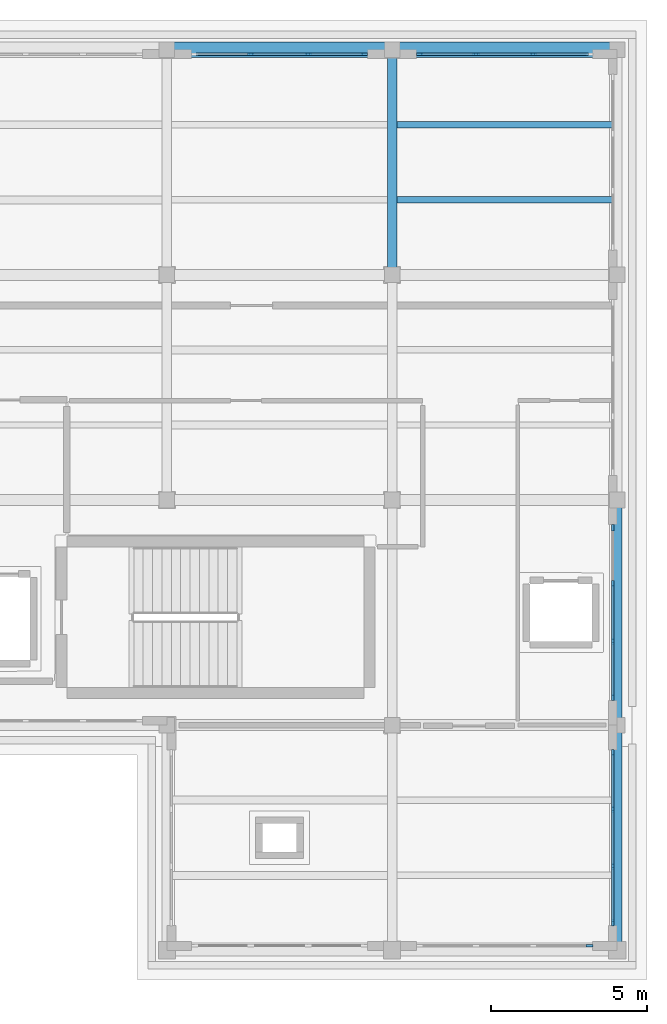
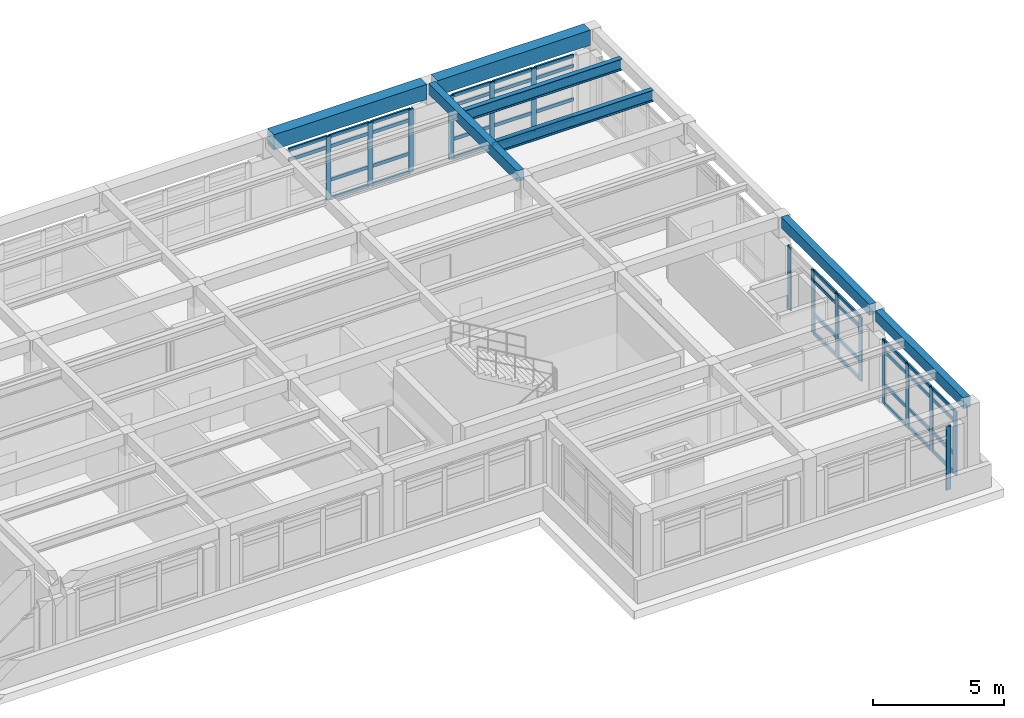
# One storey, part 9 of 20: 57 members, 7 beams, 5 elements without a shape of their own.
"""IFC4 building model written with IfcOpenShell, lengths in metres."""

from ifc_helpers import new_model, si_unit, direction, frame, origin, origin_2d, place, context, subcontext, project, spatial, rectangle, i_section, extrude, material, layer, layer_set, material_profile, profile_set, type_object, element, aggregate, save


model = new_model("IFC4")

# Units and contexts
model_context = context("Model", 3, precision=1e-05, world=origin(), true_north=direction((0.0, 1.0)))
body_context = subcontext(model_context, "Body", "Model", "MODEL_VIEW")
ifc_project = project(units=[si_unit("LENGTHUNIT", "METRE"), si_unit("AREAUNIT", "SQUARE_METRE"), si_unit("VOLUMEUNIT", "CUBIC_METRE"), si_unit("PLANEANGLEUNIT", "RADIAN"), si_unit("MASSUNIT", "GRAM", prefix="KILO")], contexts=[model_context])

# Site, building, storey
site_placement = place(None, origin())
site = spatial("IfcSite", under=ifc_project, at=site_placement, CompositionType="ELEMENT")
building_placement = place(site_placement, origin())
building = spatial("IfcBuilding", under=site, at=building_placement, Name="Solenvale Faculty of Natural Sciences", CompositionType="ELEMENT")
storey_placement = place(building_placement, frame((0.0, 0.0, 35.39990234375)))
storey = spatial("IfcBuildingStorey", under=building, at=storey_placement, Name="L08", CompositionType="ELEMENT", Elevation=35.39990234375)

# Beams
ifc_material_1 = material(Name="Concrete 40 MPa", Category="concrete")
ifc_material_profile_1 = material_profile(ifc_material_1, rectangle(XDim=0.300048828125, YDim=0.5, at=origin_2d()), Name="RC-BM-300x500")
ifc_profile_set_1 = profile_set([ifc_material_profile_1], Name="Concrete 40 MPa")
beam_type_1 = type_object("IfcBeamType", Name="BM-RC-300x500", PredefinedType="BEAM", material=ifc_profile_set_1)
beam_1_placement = place(storey_placement, frame((144.0, 108.22998046875, 3.670166015625), z_axis=(0.0, 1.0, 0.0), x_axis=(-1.0, 0.0, 0.0)))
element("IfcBeam", 1, at=beam_1_placement, inside=storey, type_object=beam_type_1, Name="L08 Y-Girder X144.0 (108.0..115.2)", PredefinedType="BEAM", context=body_context, shape_type="SweptSolid", body=[
    extrude(rectangle(XDim=0.300048828125, YDim=0.5, at=origin_2d()), origin(), (0.0, 0.0, 1.0), 6.739990234375),
])
beam_2_placement = place(storey_placement, frame((151.199951171875, 86.655029296875, 3.670166015625), z_axis=(0.0, 1.0, 0.0), x_axis=(-1.0, 0.0, 0.0)))
element("IfcBeam", 2, at=beam_2_placement, inside=storey, type_object=beam_type_1, Name="L08 Y-Girder X151.2 (86.4..93.6)", PredefinedType="BEAM", context=body_context, shape_type="SweptSolid", body=[
    extrude(rectangle(XDim=0.300048828125, YDim=0.5, at=origin_2d()), origin(), (0.0, 0.0, 1.0), 6.715087890625),
])
beam_3_placement = place(storey_placement, frame((151.199951171875, 93.830078125, 3.670166015625), z_axis=(0.0, 1.0, 0.0), x_axis=(-1.0, 0.0, 0.0)))
element("IfcBeam", 3, at=beam_3_placement, inside=storey, type_object=beam_type_1, Name="L08 Y-Girder X151.2 (93.6..100.8)", PredefinedType="BEAM", context=body_context, shape_type="SweptSolid", body=[
    extrude(rectangle(XDim=0.300048828125, YDim=0.5, at=origin_2d()), origin(), (0.0, 0.0, 1.0), 6.739990234375),
])
ifc_material_2 = material(Name="Precast concrete 40 MPa", Category="concrete")
ifc_material_profile_2 = material_profile(ifc_material_2, rectangle(XDim=0.5, YDim=0.699951171875, at=origin_2d()), Name="RC-BM-500x700")
ifc_profile_set_2 = profile_set([ifc_material_profile_2], Name="Precast concrete 40 MPa")
beam_type_2 = type_object("IfcBeamType", Name="BM-SPN-PRC-700", PredefinedType="SPANDREL", material=ifc_profile_set_2)
for number, where, z_axis, x_axis, name in (
    (4, (137.030029296875, 115.199951171875, 3.570068359375), (1.0, 0.0, 0.0), (0.0, 1.0, 0.0), "L08 X-Girder Y115.2 (136.8..144.0)"),
    (5, (144.22998046875, 115.199951171875, 3.570068359375), (1.0, 0.0, 0.0), (0.0, 1.0, 0.0), "L08 X-Girder Y115.2 (144.0..151.2)"),
):
    element("IfcBeam", number, at=place(storey_placement, frame(where, z_axis=z_axis, x_axis=x_axis)), inside=storey, type_object=beam_type_2, Name=name, PredefinedType="SPANDREL", context=body_context, shape_type="SweptSolid", body=[
        extrude(rectangle(XDim=0.5, YDim=0.699951171875, at=origin_2d()), origin(), (0.0, 0.0, 1.0), 6.739990234375),
    ])
ifc_material_3 = material(Name="Steel S355", Category="steel")
ifc_material_profile_3 = material_profile(ifc_material_3, i_section(OverallWidth=0.208984375, OverallDepth=0.532958984375, WebThickness=0.01025390625, FlangeThickness=0.015625, FilletRadius=0.01904296875, at=origin_2d()), Name="W530x92")
ifc_profile_set_3 = profile_set([ifc_material_profile_3], Name="Steel S355")
beam_type_3 = type_object("IfcBeamType", Name="BM-STL-W530x92", PredefinedType="JOIST", material=ifc_profile_set_3)
for number, where, z_axis, x_axis, name in (
    (6, (144.1298828125, 110.39990234375, 3.653564453125), (1.0, 0.0, 0.0), (0.0, 1.0, 0.0), "L08 Composite Floor Joist (21,16).1"),
    (7, (144.1298828125, 112.800048828125, 3.653564453125), (1.0, 0.0, 0.0), (0.0, 1.0, 0.0), "L08 Composite Floor Joist (21,16).2"),
):
    element("IfcBeam", number, at=place(storey_placement, frame(where, z_axis=z_axis, x_axis=x_axis)), inside=storey, type_object=beam_type_3, Name=name, PredefinedType="JOIST", context=body_context, shape_type="SweptSolid", body=[
        extrude(i_section(OverallWidth=0.208984375, OverallDepth=0.532958984375, WebThickness=0.01025390625, FlangeThickness=0.015625, FilletRadius=0.01904296875, at=origin_2d()), origin(), (0.0, 0.0, 1.0), 6.940185546875),
    ])

# Curtain wall, members
ifc_material_4 = material(Name="Anodised bronze aluminium", Category="aluminium")
ifc_layer = layer(ifc_material_4, 0.179931640625)
ifc_layer_set = layer_set([ifc_layer], Name="Anodised bronze aluminium")
curtain_wall_type = type_object("IfcCurtainWallType", Name="CW-TWR-MOD", PredefinedType="USERDEFINED", material=ifc_layer_set)
curtain_wall_1_placement = place(storey_placement, origin())
curtain_wall_1 = element("IfcCurtainWall", 8, at=curtain_wall_1_placement, inside=storey, type_object=curtain_wall_type, Name="L08 Curtain Wall CW-L08-P1-E1-B1", ObjectType="UNITISED CURTAIN WALL", PredefinedType="USERDEFINED")
ifc_material_profile_4 = material_profile(ifc_material_4, rectangle(XDim=0.074951171875, YDim=0.2099609375, at=origin_2d()), Name="ALU-MUL-75x210")
ifc_profile_set_4 = profile_set([ifc_material_profile_4], Name="Anodised bronze aluminium")
member_type_1 = type_object("IfcMemberType", Name="CWM-ALU-75x210", PredefinedType="MULLION", material=ifc_profile_set_4)
member_1_placement = place(storey_placement, frame((151.0576171875, 94.487548828125, 0.0), z_axis=(0.0, 0.0, 1.0), x_axis=(-1.0, 0.0, 0.0)))
member_1 = element("IfcMember", 9, at=member_1_placement, type_object=member_type_1, Name="CW-04 mullion 1", PredefinedType="MULLION", context=body_context, shape_type="SweptSolid", body=[
    extrude(rectangle(XDim=0.074951171875, YDim=0.2099609375, at=origin_2d()), origin(), (0.0, 0.0, 1.0), 2.960205078125),
])
member_2_placement = place(storey_placement, frame((151.0576171875, 96.283447265625, 0.0), z_axis=(0.0, 0.0, 1.0), x_axis=(-1.0, 0.0, 0.0)))
member_2 = element("IfcMember", 10, at=member_2_placement, type_object=member_type_1, Name="CW-04 mullion 2", PredefinedType="MULLION", context=body_context, shape_type="SweptSolid", body=[
    extrude(rectangle(XDim=0.074951171875, YDim=0.2099609375, at=origin_2d()), origin(), (0.0, 0.0, 1.0), 2.960205078125),
])
member_3_placement = place(storey_placement, frame((151.0576171875, 98.11669921875, 0.0), z_axis=(0.0, 0.0, 1.0), x_axis=(-1.0, 0.0, 0.0)))
member_3 = element("IfcMember", 11, at=member_3_placement, type_object=member_type_1, Name="CW-04 mullion 3", PredefinedType="MULLION", context=body_context, shape_type="SweptSolid", body=[
    extrude(rectangle(XDim=0.074951171875, YDim=0.2099609375, at=origin_2d()), origin(), (0.0, 0.0, 1.0), 2.960205078125),
])
member_4_placement = place(storey_placement, frame((151.0576171875, 99.91259765625, 0.0), z_axis=(0.0, 0.0, 1.0), x_axis=(-1.0, 0.0, 0.0)))
member_4 = element("IfcMember", 12, at=member_4_placement, type_object=member_type_1, Name="CW-04 mullion 4", PredefinedType="MULLION", context=body_context, shape_type="SweptSolid", body=[
    extrude(rectangle(XDim=0.074951171875, YDim=0.2099609375, at=origin_2d()), origin(), (0.0, 0.0, 1.0), 2.960205078125),
])

curtain_wall_2_placement = place(storey_placement, origin())
curtain_wall_2 = element("IfcCurtainWall", 13, at=curtain_wall_2_placement, inside=storey, type_object=curtain_wall_type, Name="L08 Curtain Wall CW-L08-P1-E2-B1", ObjectType="UNITISED CURTAIN WALL", PredefinedType="USERDEFINED")
member_5_placement = place(storey_placement, frame((148.5166015625, 115.0576171875, 0.0), z_axis=(0.0, 0.0, 1.0), x_axis=(0.0, -1.0, 0.0)))
member_5 = element("IfcMember", 14, at=member_5_placement, type_object=member_type_1, Name="CW-04 mullion 2", PredefinedType="MULLION", context=body_context, shape_type="SweptSolid", body=[
    extrude(rectangle(XDim=0.074951171875, YDim=0.2099609375, at=origin_2d()), origin(), (0.0, 0.0, 1.0), 2.960205078125),
])
member_6_placement = place(storey_placement, frame((146.683349609375, 115.0576171875, 0.0), z_axis=(0.0, 0.0, 1.0), x_axis=(0.0, -1.0, 0.0)))
member_6 = element("IfcMember", 15, at=member_6_placement, type_object=member_type_1, Name="CW-04 mullion 3", PredefinedType="MULLION", context=body_context, shape_type="SweptSolid", body=[
    extrude(rectangle(XDim=0.074951171875, YDim=0.2099609375, at=origin_2d()), origin(), (0.0, 0.0, 1.0), 2.960205078125),
])
member_7_placement = place(storey_placement, frame((144.887451171875, 115.0576171875, 0.0), z_axis=(0.0, 0.0, 1.0), x_axis=(0.0, -1.0, 0.0)))
member_7 = element("IfcMember", 16, at=member_7_placement, type_object=member_type_1, Name="CW-04 mullion 4", PredefinedType="MULLION", context=body_context, shape_type="SweptSolid", body=[
    extrude(rectangle(XDim=0.074951171875, YDim=0.2099609375, at=origin_2d()), origin(), (0.0, 0.0, 1.0), 2.960205078125),
])

curtain_wall_3_placement = place(storey_placement, origin())
curtain_wall_3 = element("IfcCurtainWall", 17, at=curtain_wall_3_placement, inside=storey, type_object=curtain_wall_type, Name="L08 Curtain Wall CW-L08-P1-E2-B2", ObjectType="UNITISED CURTAIN WALL", PredefinedType="USERDEFINED")
member_8_placement = place(storey_placement, frame((143.112548828125, 115.0576171875, 0.0), z_axis=(0.0, 0.0, 1.0), x_axis=(0.0, -1.0, 0.0)))
member_8 = element("IfcMember", 18, at=member_8_placement, type_object=member_type_1, Name="CW-04 mullion 1", PredefinedType="MULLION", context=body_context, shape_type="SweptSolid", body=[
    extrude(rectangle(XDim=0.074951171875, YDim=0.2099609375, at=origin_2d()), origin(), (0.0, 0.0, 1.0), 2.960205078125),
])
member_9_placement = place(storey_placement, frame((141.316650390625, 115.0576171875, 0.0), z_axis=(0.0, 0.0, 1.0), x_axis=(0.0, -1.0, 0.0)))
member_9 = element("IfcMember", 19, at=member_9_placement, type_object=member_type_1, Name="CW-04 mullion 2", PredefinedType="MULLION", context=body_context, shape_type="SweptSolid", body=[
    extrude(rectangle(XDim=0.074951171875, YDim=0.2099609375, at=origin_2d()), origin(), (0.0, 0.0, 1.0), 2.960205078125),
])
member_10_placement = place(storey_placement, frame((139.4833984375, 115.0576171875, 0.0), z_axis=(0.0, 0.0, 1.0), x_axis=(0.0, -1.0, 0.0)))
member_10 = element("IfcMember", 20, at=member_10_placement, type_object=member_type_1, Name="CW-04 mullion 3", PredefinedType="MULLION", context=body_context, shape_type="SweptSolid", body=[
    extrude(rectangle(XDim=0.074951171875, YDim=0.2099609375, at=origin_2d()), origin(), (0.0, 0.0, 1.0), 2.960205078125),
])

# Curtain wall, member
curtain_wall_4_placement = place(storey_placement, origin())
curtain_wall_4 = element("IfcCurtainWall", 21, at=curtain_wall_4_placement, inside=storey, type_object=curtain_wall_type, Name="L08 Curtain Wall CW-L08-P1-E6-B2", ObjectType="UNITISED CURTAIN WALL", PredefinedType="USERDEFINED")
member_11_placement = place(storey_placement, frame((150.3125, 86.54248046875, 0.0), z_axis=(0.0, 0.0, 1.0), x_axis=(0.0, 1.0, 0.0)))
member_11 = element("IfcMember", 22, at=member_11_placement, type_object=member_type_1, Name="CW-04 mullion 4", PredefinedType="MULLION", context=body_context, shape_type="SweptSolid", body=[
    extrude(rectangle(XDim=0.074951171875, YDim=0.2099609375, at=origin_2d()), origin(), (0.0, 0.0, 1.0), 2.960205078125),
])
aggregate(curtain_wall_4, [member_11])

# Curtain wall, members
curtain_wall_5_placement = place(storey_placement, origin())
curtain_wall_5 = element("IfcCurtainWall", 23, at=curtain_wall_5_placement, inside=storey, type_object=curtain_wall_type, Name="L08 Curtain Wall CW-L08-P1-E7-B1", ObjectType="UNITISED CURTAIN WALL", PredefinedType="USERDEFINED")
member_12_placement = place(storey_placement, frame((151.0576171875, 87.28759765625, 0.0), z_axis=(0.0, 0.0, 1.0), x_axis=(-1.0, 0.0, 0.0)))
member_12 = element("IfcMember", 24, at=member_12_placement, type_object=member_type_1, Name="CW-04 mullion 1", PredefinedType="MULLION", context=body_context, shape_type="SweptSolid", body=[
    extrude(rectangle(XDim=0.074951171875, YDim=0.2099609375, at=origin_2d()), origin(), (0.0, 0.0, 1.0), 2.960205078125),
])
member_13_placement = place(storey_placement, frame((151.0576171875, 89.083251953125, 0.0), z_axis=(0.0, 0.0, 1.0), x_axis=(-1.0, 0.0, 0.0)))
member_13 = element("IfcMember", 25, at=member_13_placement, type_object=member_type_1, Name="CW-04 mullion 2", PredefinedType="MULLION", context=body_context, shape_type="SweptSolid", body=[
    extrude(rectangle(XDim=0.074951171875, YDim=0.2099609375, at=origin_2d()), origin(), (0.0, 0.0, 1.0), 2.960205078125),
])
member_14_placement = place(storey_placement, frame((151.0576171875, 90.916748046875, 0.0), z_axis=(0.0, 0.0, 1.0), x_axis=(-1.0, 0.0, 0.0)))
member_14 = element("IfcMember", 26, at=member_14_placement, type_object=member_type_1, Name="CW-04 mullion 3", PredefinedType="MULLION", context=body_context, shape_type="SweptSolid", body=[
    extrude(rectangle(XDim=0.074951171875, YDim=0.2099609375, at=origin_2d()), origin(), (0.0, 0.0, 1.0), 2.960205078125),
])
member_15_placement = place(storey_placement, frame((151.0576171875, 92.71240234375, 0.0), z_axis=(0.0, 0.0, 1.0), x_axis=(-1.0, 0.0, 0.0)))
member_15 = element("IfcMember", 27, at=member_15_placement, type_object=member_type_1, Name="CW-04 mullion 4", PredefinedType="MULLION", context=body_context, shape_type="SweptSolid", body=[
    extrude(rectangle(XDim=0.074951171875, YDim=0.2099609375, at=origin_2d()), origin(), (0.0, 0.0, 1.0), 2.960205078125),
])

# Member
ifc_material_profile_5 = material_profile(ifc_material_4, rectangle(XDim=0.074951171875, YDim=0.155029296875, at=origin_2d()), Name="ALU-TRN-75x155")
ifc_profile_set_5 = profile_set([ifc_material_profile_5], Name="Anodised bronze aluminium")
member_type_2 = type_object("IfcMemberType", Name="CWT-ALU-75x155", PredefinedType="USERDEFINED", material=ifc_profile_set_5)
member_16_placement = place(storey_placement, frame((151.0576171875, 94.52490234375, 0.03759765625), z_axis=(0.0, 1.0, 0.0), x_axis=(-1.0, 0.0, 0.0)))
member_16 = element("IfcMember", 28, at=member_16_placement, type_object=member_type_2, Name="CW-04 transom 1.1", ObjectType="TRANSOM", PredefinedType="USERDEFINED", context=body_context, shape_type="SweptSolid", body=[
    extrude(rectangle(XDim=0.074951171875, YDim=0.155029296875, at=origin_2d()), origin(), (0.0, 0.0, 1.0), 1.720947265625),
])

member_17_placement = place(storey_placement, frame((151.0576171875, 94.52490234375, 0.900146484375), z_axis=(0.0, 1.0, 0.0), x_axis=(-1.0, 0.0, 0.0)))
member_17 = element("IfcMember", 29, at=member_17_placement, type_object=member_type_2, Name="CW-04 transom 1.2", ObjectType="TRANSOM", PredefinedType="USERDEFINED", context=body_context, shape_type="SweptSolid", body=[
    extrude(rectangle(XDim=0.074951171875, YDim=0.155029296875, at=origin_2d()), origin(), (0.0, 0.0, 1.0), 1.720947265625),
])

member_18_placement = place(storey_placement, frame((151.0576171875, 94.52490234375, 2.460205078125), z_axis=(0.0, 1.0, 0.0), x_axis=(-1.0, 0.0, 0.0)))
member_18 = element("IfcMember", 30, at=member_18_placement, type_object=member_type_2, Name="CW-04 transom 1.3", ObjectType="TRANSOM", PredefinedType="USERDEFINED", context=body_context, shape_type="SweptSolid", body=[
    extrude(rectangle(XDim=0.074951171875, YDim=0.155029296875, at=origin_2d()), origin(), (0.0, 0.0, 1.0), 1.720947265625),
])

member_19_placement = place(storey_placement, frame((151.0576171875, 94.52490234375, 2.922607421875), z_axis=(0.0, 1.0, 0.0), x_axis=(-1.0, 0.0, 0.0)))
member_19 = element("IfcMember", 31, at=member_19_placement, type_object=member_type_2, Name="CW-04 transom 1.4", ObjectType="TRANSOM", PredefinedType="USERDEFINED", context=body_context, shape_type="SweptSolid", body=[
    extrude(rectangle(XDim=0.074951171875, YDim=0.155029296875, at=origin_2d()), origin(), (0.0, 0.0, 1.0), 1.720947265625),
])

member_20_placement = place(storey_placement, frame((151.0576171875, 96.32080078125, 0.03759765625), z_axis=(0.0, 1.0, 0.0), x_axis=(-1.0, 0.0, 0.0)))
member_20 = element("IfcMember", 32, at=member_20_placement, type_object=member_type_2, Name="CW-04 transom 2.1", ObjectType="TRANSOM", PredefinedType="USERDEFINED", context=body_context, shape_type="SweptSolid", body=[
    extrude(rectangle(XDim=0.074951171875, YDim=0.155029296875, at=origin_2d()), origin(), (0.0, 0.0, 1.0), 1.75830078125),
])

member_21_placement = place(storey_placement, frame((151.0576171875, 96.32080078125, 0.900146484375), z_axis=(0.0, 1.0, 0.0), x_axis=(-1.0, 0.0, 0.0)))
member_21 = element("IfcMember", 33, at=member_21_placement, type_object=member_type_2, Name="CW-04 transom 2.2", ObjectType="TRANSOM", PredefinedType="USERDEFINED", context=body_context, shape_type="SweptSolid", body=[
    extrude(rectangle(XDim=0.074951171875, YDim=0.155029296875, at=origin_2d()), origin(), (0.0, 0.0, 1.0), 1.75830078125),
])

member_22_placement = place(storey_placement, frame((151.0576171875, 96.32080078125, 2.460205078125), z_axis=(0.0, 1.0, 0.0), x_axis=(-1.0, 0.0, 0.0)))
member_22 = element("IfcMember", 34, at=member_22_placement, type_object=member_type_2, Name="CW-04 transom 2.3", ObjectType="TRANSOM", PredefinedType="USERDEFINED", context=body_context, shape_type="SweptSolid", body=[
    extrude(rectangle(XDim=0.074951171875, YDim=0.155029296875, at=origin_2d()), origin(), (0.0, 0.0, 1.0), 1.75830078125),
])

member_23_placement = place(storey_placement, frame((151.0576171875, 96.32080078125, 2.922607421875), z_axis=(0.0, 1.0, 0.0), x_axis=(-1.0, 0.0, 0.0)))
member_23 = element("IfcMember", 35, at=member_23_placement, type_object=member_type_2, Name="CW-04 transom 2.4", ObjectType="TRANSOM", PredefinedType="USERDEFINED", context=body_context, shape_type="SweptSolid", body=[
    extrude(rectangle(XDim=0.074951171875, YDim=0.155029296875, at=origin_2d()), origin(), (0.0, 0.0, 1.0), 1.75830078125),
])

aggregate(curtain_wall_1, [member_1, member_2, member_3, member_4, member_16, member_17, member_18, member_19, member_20, member_21, member_22, member_23])

member_24_placement = place(storey_placement, frame((150.27490234375, 115.0576171875, 0.03759765625), z_axis=(-1.0, 0.0, 0.0), x_axis=(0.0, -1.0, 0.0)))
member_24 = element("IfcMember", 36, at=member_24_placement, type_object=member_type_2, Name="CW-04 transom 1.1", ObjectType="TRANSOM", PredefinedType="USERDEFINED", context=body_context, shape_type="SweptSolid", body=[
    extrude(rectangle(XDim=0.074951171875, YDim=0.155029296875, at=origin_2d()), origin(), (0.0, 0.0, 1.0), 1.720703125),
])

member_25_placement = place(storey_placement, frame((150.27490234375, 115.0576171875, 0.900146484375), z_axis=(-1.0, 0.0, 0.0), x_axis=(0.0, -1.0, 0.0)))
member_25 = element("IfcMember", 37, at=member_25_placement, type_object=member_type_2, Name="CW-04 transom 1.2", ObjectType="TRANSOM", PredefinedType="USERDEFINED", context=body_context, shape_type="SweptSolid", body=[
    extrude(rectangle(XDim=0.074951171875, YDim=0.155029296875, at=origin_2d()), origin(), (0.0, 0.0, 1.0), 1.720703125),
])

member_26_placement = place(storey_placement, frame((150.27490234375, 115.0576171875, 2.460205078125), z_axis=(-1.0, 0.0, 0.0), x_axis=(0.0, -1.0, 0.0)))
member_26 = element("IfcMember", 38, at=member_26_placement, type_object=member_type_2, Name="CW-04 transom 1.3", ObjectType="TRANSOM", PredefinedType="USERDEFINED", context=body_context, shape_type="SweptSolid", body=[
    extrude(rectangle(XDim=0.074951171875, YDim=0.155029296875, at=origin_2d()), origin(), (0.0, 0.0, 1.0), 1.720703125),
])

member_27_placement = place(storey_placement, frame((150.27490234375, 115.0576171875, 2.922607421875), z_axis=(-1.0, 0.0, 0.0), x_axis=(0.0, -1.0, 0.0)))
member_27 = element("IfcMember", 39, at=member_27_placement, type_object=member_type_2, Name="CW-04 transom 1.4", ObjectType="TRANSOM", PredefinedType="USERDEFINED", context=body_context, shape_type="SweptSolid", body=[
    extrude(rectangle(XDim=0.074951171875, YDim=0.155029296875, at=origin_2d()), origin(), (0.0, 0.0, 1.0), 1.720703125),
])

member_28_placement = place(storey_placement, frame((148.479248046875, 115.0576171875, 0.03759765625), z_axis=(-1.0, 0.0, 0.0), x_axis=(0.0, -1.0, 0.0)))
member_28 = element("IfcMember", 40, at=member_28_placement, type_object=member_type_2, Name="CW-04 transom 2.1", ObjectType="TRANSOM", PredefinedType="USERDEFINED", context=body_context, shape_type="SweptSolid", body=[
    extrude(rectangle(XDim=0.074951171875, YDim=0.155029296875, at=origin_2d()), origin(), (0.0, 0.0, 1.0), 1.75830078125),
])

member_29_placement = place(storey_placement, frame((148.479248046875, 115.0576171875, 0.900146484375), z_axis=(-1.0, 0.0, 0.0), x_axis=(0.0, -1.0, 0.0)))
member_29 = element("IfcMember", 41, at=member_29_placement, type_object=member_type_2, Name="CW-04 transom 2.2", ObjectType="TRANSOM", PredefinedType="USERDEFINED", context=body_context, shape_type="SweptSolid", body=[
    extrude(rectangle(XDim=0.074951171875, YDim=0.155029296875, at=origin_2d()), origin(), (0.0, 0.0, 1.0), 1.75830078125),
])

member_30_placement = place(storey_placement, frame((148.479248046875, 115.0576171875, 2.460205078125), z_axis=(-1.0, 0.0, 0.0), x_axis=(0.0, -1.0, 0.0)))
member_30 = element("IfcMember", 42, at=member_30_placement, type_object=member_type_2, Name="CW-04 transom 2.3", ObjectType="TRANSOM", PredefinedType="USERDEFINED", context=body_context, shape_type="SweptSolid", body=[
    extrude(rectangle(XDim=0.074951171875, YDim=0.155029296875, at=origin_2d()), origin(), (0.0, 0.0, 1.0), 1.75830078125),
])

member_31_placement = place(storey_placement, frame((148.479248046875, 115.0576171875, 2.922607421875), z_axis=(-1.0, 0.0, 0.0), x_axis=(0.0, -1.0, 0.0)))
member_31 = element("IfcMember", 43, at=member_31_placement, type_object=member_type_2, Name="CW-04 transom 2.4", ObjectType="TRANSOM", PredefinedType="USERDEFINED", context=body_context, shape_type="SweptSolid", body=[
    extrude(rectangle(XDim=0.074951171875, YDim=0.155029296875, at=origin_2d()), origin(), (0.0, 0.0, 1.0), 1.75830078125),
])

member_32_placement = place(storey_placement, frame((146.645751953125, 115.0576171875, 0.03759765625), z_axis=(-1.0, 0.0, 0.0), x_axis=(0.0, -1.0, 0.0)))
member_32 = element("IfcMember", 44, at=member_32_placement, type_object=member_type_2, Name="CW-04 transom 3.1", ObjectType="TRANSOM", PredefinedType="USERDEFINED", context=body_context, shape_type="SweptSolid", body=[
    extrude(rectangle(XDim=0.074951171875, YDim=0.155029296875, at=origin_2d()), origin(), (0.0, 0.0, 1.0), 1.720703125),
])

member_33_placement = place(storey_placement, frame((146.645751953125, 115.0576171875, 0.900146484375), z_axis=(-1.0, 0.0, 0.0), x_axis=(0.0, -1.0, 0.0)))
member_33 = element("IfcMember", 45, at=member_33_placement, type_object=member_type_2, Name="CW-04 transom 3.2", ObjectType="TRANSOM", PredefinedType="USERDEFINED", context=body_context, shape_type="SweptSolid", body=[
    extrude(rectangle(XDim=0.074951171875, YDim=0.155029296875, at=origin_2d()), origin(), (0.0, 0.0, 1.0), 1.720703125),
])

member_34_placement = place(storey_placement, frame((146.645751953125, 115.0576171875, 2.460205078125), z_axis=(-1.0, 0.0, 0.0), x_axis=(0.0, -1.0, 0.0)))
member_34 = element("IfcMember", 46, at=member_34_placement, type_object=member_type_2, Name="CW-04 transom 3.3", ObjectType="TRANSOM", PredefinedType="USERDEFINED", context=body_context, shape_type="SweptSolid", body=[
    extrude(rectangle(XDim=0.074951171875, YDim=0.155029296875, at=origin_2d()), origin(), (0.0, 0.0, 1.0), 1.720703125),
])

member_35_placement = place(storey_placement, frame((146.645751953125, 115.0576171875, 2.922607421875), z_axis=(-1.0, 0.0, 0.0), x_axis=(0.0, -1.0, 0.0)))
member_35 = element("IfcMember", 47, at=member_35_placement, type_object=member_type_2, Name="CW-04 transom 3.4", ObjectType="TRANSOM", PredefinedType="USERDEFINED", context=body_context, shape_type="SweptSolid", body=[
    extrude(rectangle(XDim=0.074951171875, YDim=0.155029296875, at=origin_2d()), origin(), (0.0, 0.0, 1.0), 1.720703125),
])

aggregate(curtain_wall_2, [member_5, member_6, member_7, member_24, member_25, member_26, member_27, member_28, member_29, member_30, member_31, member_32, member_33, member_34, member_35])

member_36_placement = place(storey_placement, frame((143.074951171875, 115.0576171875, 0.03759765625), z_axis=(-1.0, 0.0, 0.0), x_axis=(0.0, -1.0, 0.0)))
member_36 = element("IfcMember", 48, at=member_36_placement, type_object=member_type_2, Name="CW-04 transom 1.1", ObjectType="TRANSOM", PredefinedType="USERDEFINED", context=body_context, shape_type="SweptSolid", body=[
    extrude(rectangle(XDim=0.074951171875, YDim=0.155029296875, at=origin_2d()), origin(), (0.0, 0.0, 1.0), 1.720703125),
])

member_37_placement = place(storey_placement, frame((143.074951171875, 115.0576171875, 0.900146484375), z_axis=(-1.0, 0.0, 0.0), x_axis=(0.0, -1.0, 0.0)))
member_37 = element("IfcMember", 49, at=member_37_placement, type_object=member_type_2, Name="CW-04 transom 1.2", ObjectType="TRANSOM", PredefinedType="USERDEFINED", context=body_context, shape_type="SweptSolid", body=[
    extrude(rectangle(XDim=0.074951171875, YDim=0.155029296875, at=origin_2d()), origin(), (0.0, 0.0, 1.0), 1.720703125),
])

member_38_placement = place(storey_placement, frame((143.074951171875, 115.0576171875, 2.460205078125), z_axis=(-1.0, 0.0, 0.0), x_axis=(0.0, -1.0, 0.0)))
member_38 = element("IfcMember", 50, at=member_38_placement, type_object=member_type_2, Name="CW-04 transom 1.3", ObjectType="TRANSOM", PredefinedType="USERDEFINED", context=body_context, shape_type="SweptSolid", body=[
    extrude(rectangle(XDim=0.074951171875, YDim=0.155029296875, at=origin_2d()), origin(), (0.0, 0.0, 1.0), 1.720703125),
])

member_39_placement = place(storey_placement, frame((143.074951171875, 115.0576171875, 2.922607421875), z_axis=(-1.0, 0.0, 0.0), x_axis=(0.0, -1.0, 0.0)))
member_39 = element("IfcMember", 51, at=member_39_placement, type_object=member_type_2, Name="CW-04 transom 1.4", ObjectType="TRANSOM", PredefinedType="USERDEFINED", context=body_context, shape_type="SweptSolid", body=[
    extrude(rectangle(XDim=0.074951171875, YDim=0.155029296875, at=origin_2d()), origin(), (0.0, 0.0, 1.0), 1.720703125),
])

member_40_placement = place(storey_placement, frame((141.279052734375, 115.0576171875, 0.03759765625), z_axis=(-1.0, 0.0, 0.0), x_axis=(0.0, -1.0, 0.0)))
member_40 = element("IfcMember", 52, at=member_40_placement, type_object=member_type_2, Name="CW-04 transom 2.1", ObjectType="TRANSOM", PredefinedType="USERDEFINED", context=body_context, shape_type="SweptSolid", body=[
    extrude(rectangle(XDim=0.074951171875, YDim=0.155029296875, at=origin_2d()), origin(), (0.0, 0.0, 1.0), 1.75830078125),
])

member_41_placement = place(storey_placement, frame((141.279052734375, 115.0576171875, 0.900146484375), z_axis=(-1.0, 0.0, 0.0), x_axis=(0.0, -1.0, 0.0)))
member_41 = element("IfcMember", 53, at=member_41_placement, type_object=member_type_2, Name="CW-04 transom 2.2", ObjectType="TRANSOM", PredefinedType="USERDEFINED", context=body_context, shape_type="SweptSolid", body=[
    extrude(rectangle(XDim=0.074951171875, YDim=0.155029296875, at=origin_2d()), origin(), (0.0, 0.0, 1.0), 1.75830078125),
])

member_42_placement = place(storey_placement, frame((141.279052734375, 115.0576171875, 2.460205078125), z_axis=(-1.0, 0.0, 0.0), x_axis=(0.0, -1.0, 0.0)))
member_42 = element("IfcMember", 54, at=member_42_placement, type_object=member_type_2, Name="CW-04 transom 2.3", ObjectType="TRANSOM", PredefinedType="USERDEFINED", context=body_context, shape_type="SweptSolid", body=[
    extrude(rectangle(XDim=0.074951171875, YDim=0.155029296875, at=origin_2d()), origin(), (0.0, 0.0, 1.0), 1.75830078125),
])

member_43_placement = place(storey_placement, frame((141.279052734375, 115.0576171875, 2.922607421875), z_axis=(-1.0, 0.0, 0.0), x_axis=(0.0, -1.0, 0.0)))
member_43 = element("IfcMember", 55, at=member_43_placement, type_object=member_type_2, Name="CW-04 transom 2.4", ObjectType="TRANSOM", PredefinedType="USERDEFINED", context=body_context, shape_type="SweptSolid", body=[
    extrude(rectangle(XDim=0.074951171875, YDim=0.155029296875, at=origin_2d()), origin(), (0.0, 0.0, 1.0), 1.75830078125),
])

member_44_placement = place(storey_placement, frame((139.44580078125, 115.0576171875, 2.460205078125), z_axis=(-1.0, 0.0, 0.0), x_axis=(0.0, -1.0, 0.0)))
member_44 = element("IfcMember", 56, at=member_44_placement, type_object=member_type_2, Name="CW-04 transom 3.3", ObjectType="TRANSOM", PredefinedType="USERDEFINED", context=body_context, shape_type="SweptSolid", body=[
    extrude(rectangle(XDim=0.074951171875, YDim=0.155029296875, at=origin_2d()), origin(), (0.0, 0.0, 1.0), 1.720703125),
])

member_45_placement = place(storey_placement, frame((139.44580078125, 115.0576171875, 2.922607421875), z_axis=(-1.0, 0.0, 0.0), x_axis=(0.0, -1.0, 0.0)))
member_45 = element("IfcMember", 57, at=member_45_placement, type_object=member_type_2, Name="CW-04 transom 3.4", ObjectType="TRANSOM", PredefinedType="USERDEFINED", context=body_context, shape_type="SweptSolid", body=[
    extrude(rectangle(XDim=0.074951171875, YDim=0.155029296875, at=origin_2d()), origin(), (0.0, 0.0, 1.0), 1.720703125),
])

aggregate(curtain_wall_3, [member_8, member_9, member_10, member_36, member_37, member_38, member_39, member_40, member_41, member_42, member_43, member_44, member_45])

member_46_placement = place(storey_placement, frame((151.0576171875, 87.324951171875, 0.03759765625), z_axis=(0.0, 1.0, 0.0), x_axis=(-1.0, 0.0, 0.0)))
member_46 = element("IfcMember", 58, at=member_46_placement, type_object=member_type_2, Name="CW-04 transom 1.1", ObjectType="TRANSOM", PredefinedType="USERDEFINED", context=body_context, shape_type="SweptSolid", body=[
    extrude(rectangle(XDim=0.074951171875, YDim=0.155029296875, at=origin_2d()), origin(), (0.0, 0.0, 1.0), 1.720947265625),
])

member_47_placement = place(storey_placement, frame((151.0576171875, 87.324951171875, 0.900146484375), z_axis=(0.0, 1.0, 0.0), x_axis=(-1.0, 0.0, 0.0)))
member_47 = element("IfcMember", 59, at=member_47_placement, type_object=member_type_2, Name="CW-04 transom 1.2", ObjectType="TRANSOM", PredefinedType="USERDEFINED", context=body_context, shape_type="SweptSolid", body=[
    extrude(rectangle(XDim=0.074951171875, YDim=0.155029296875, at=origin_2d()), origin(), (0.0, 0.0, 1.0), 1.720947265625),
])

member_48_placement = place(storey_placement, frame((151.0576171875, 87.324951171875, 2.460205078125), z_axis=(0.0, 1.0, 0.0), x_axis=(-1.0, 0.0, 0.0)))
member_48 = element("IfcMember", 60, at=member_48_placement, type_object=member_type_2, Name="CW-04 transom 1.3", ObjectType="TRANSOM", PredefinedType="USERDEFINED", context=body_context, shape_type="SweptSolid", body=[
    extrude(rectangle(XDim=0.074951171875, YDim=0.155029296875, at=origin_2d()), origin(), (0.0, 0.0, 1.0), 1.720947265625),
])

member_49_placement = place(storey_placement, frame((151.0576171875, 87.324951171875, 2.922607421875), z_axis=(0.0, 1.0, 0.0), x_axis=(-1.0, 0.0, 0.0)))
member_49 = element("IfcMember", 61, at=member_49_placement, type_object=member_type_2, Name="CW-04 transom 1.4", ObjectType="TRANSOM", PredefinedType="USERDEFINED", context=body_context, shape_type="SweptSolid", body=[
    extrude(rectangle(XDim=0.074951171875, YDim=0.155029296875, at=origin_2d()), origin(), (0.0, 0.0, 1.0), 1.720947265625),
])

member_50_placement = place(storey_placement, frame((151.0576171875, 89.120849609375, 0.03759765625), z_axis=(0.0, 1.0, 0.0), x_axis=(-1.0, 0.0, 0.0)))
member_50 = element("IfcMember", 62, at=member_50_placement, type_object=member_type_2, Name="CW-04 transom 2.1", ObjectType="TRANSOM", PredefinedType="USERDEFINED", context=body_context, shape_type="SweptSolid", body=[
    extrude(rectangle(XDim=0.074951171875, YDim=0.155029296875, at=origin_2d()), origin(), (0.0, 0.0, 1.0), 1.75830078125),
])

member_51_placement = place(storey_placement, frame((151.0576171875, 89.120849609375, 0.900146484375), z_axis=(0.0, 1.0, 0.0), x_axis=(-1.0, 0.0, 0.0)))
member_51 = element("IfcMember", 63, at=member_51_placement, type_object=member_type_2, Name="CW-04 transom 2.2", ObjectType="TRANSOM", PredefinedType="USERDEFINED", context=body_context, shape_type="SweptSolid", body=[
    extrude(rectangle(XDim=0.074951171875, YDim=0.155029296875, at=origin_2d()), origin(), (0.0, 0.0, 1.0), 1.75830078125),
])

member_52_placement = place(storey_placement, frame((151.0576171875, 89.120849609375, 2.460205078125), z_axis=(0.0, 1.0, 0.0), x_axis=(-1.0, 0.0, 0.0)))
member_52 = element("IfcMember", 64, at=member_52_placement, type_object=member_type_2, Name="CW-04 transom 2.3", ObjectType="TRANSOM", PredefinedType="USERDEFINED", context=body_context, shape_type="SweptSolid", body=[
    extrude(rectangle(XDim=0.074951171875, YDim=0.155029296875, at=origin_2d()), origin(), (0.0, 0.0, 1.0), 1.75830078125),
])

member_53_placement = place(storey_placement, frame((151.0576171875, 89.120849609375, 2.922607421875), z_axis=(0.0, 1.0, 0.0), x_axis=(-1.0, 0.0, 0.0)))
member_53 = element("IfcMember", 65, at=member_53_placement, type_object=member_type_2, Name="CW-04 transom 2.4", ObjectType="TRANSOM", PredefinedType="USERDEFINED", context=body_context, shape_type="SweptSolid", body=[
    extrude(rectangle(XDim=0.074951171875, YDim=0.155029296875, at=origin_2d()), origin(), (0.0, 0.0, 1.0), 1.75830078125),
])

member_54_placement = place(storey_placement, frame((151.0576171875, 90.9541015625, 0.03759765625), z_axis=(0.0, 1.0, 0.0), x_axis=(-1.0, 0.0, 0.0)))
member_54 = element("IfcMember", 66, at=member_54_placement, type_object=member_type_2, Name="CW-04 transom 3.1", ObjectType="TRANSOM", PredefinedType="USERDEFINED", context=body_context, shape_type="SweptSolid", body=[
    extrude(rectangle(XDim=0.074951171875, YDim=0.155029296875, at=origin_2d()), origin(), (0.0, 0.0, 1.0), 1.720947265625),
])

member_55_placement = place(storey_placement, frame((151.0576171875, 90.9541015625, 0.900146484375), z_axis=(0.0, 1.0, 0.0), x_axis=(-1.0, 0.0, 0.0)))
member_55 = element("IfcMember", 67, at=member_55_placement, type_object=member_type_2, Name="CW-04 transom 3.2", ObjectType="TRANSOM", PredefinedType="USERDEFINED", context=body_context, shape_type="SweptSolid", body=[
    extrude(rectangle(XDim=0.074951171875, YDim=0.155029296875, at=origin_2d()), origin(), (0.0, 0.0, 1.0), 1.720947265625),
])

member_56_placement = place(storey_placement, frame((151.0576171875, 90.9541015625, 2.460205078125), z_axis=(0.0, 1.0, 0.0), x_axis=(-1.0, 0.0, 0.0)))
member_56 = element("IfcMember", 68, at=member_56_placement, type_object=member_type_2, Name="CW-04 transom 3.3", ObjectType="TRANSOM", PredefinedType="USERDEFINED", context=body_context, shape_type="SweptSolid", body=[
    extrude(rectangle(XDim=0.074951171875, YDim=0.155029296875, at=origin_2d()), origin(), (0.0, 0.0, 1.0), 1.720947265625),
])

member_57_placement = place(storey_placement, frame((151.0576171875, 90.9541015625, 2.922607421875), z_axis=(0.0, 1.0, 0.0), x_axis=(-1.0, 0.0, 0.0)))
member_57 = element("IfcMember", 69, at=member_57_placement, type_object=member_type_2, Name="CW-04 transom 3.4", ObjectType="TRANSOM", PredefinedType="USERDEFINED", context=body_context, shape_type="SweptSolid", body=[
    extrude(rectangle(XDim=0.074951171875, YDim=0.155029296875, at=origin_2d()), origin(), (0.0, 0.0, 1.0), 1.720947265625),
])

aggregate(curtain_wall_5, [member_12, member_13, member_14, member_15, member_46, member_47, member_48, member_49, member_50, member_51, member_52, member_53, member_54, member_55, member_56, member_57])

save(model, "model.ifc")
